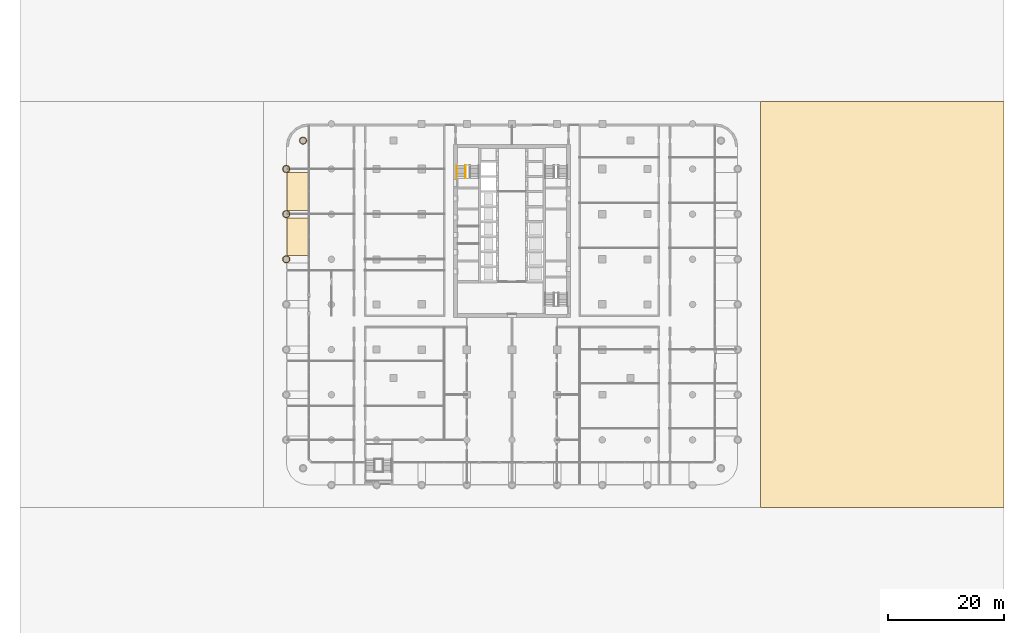
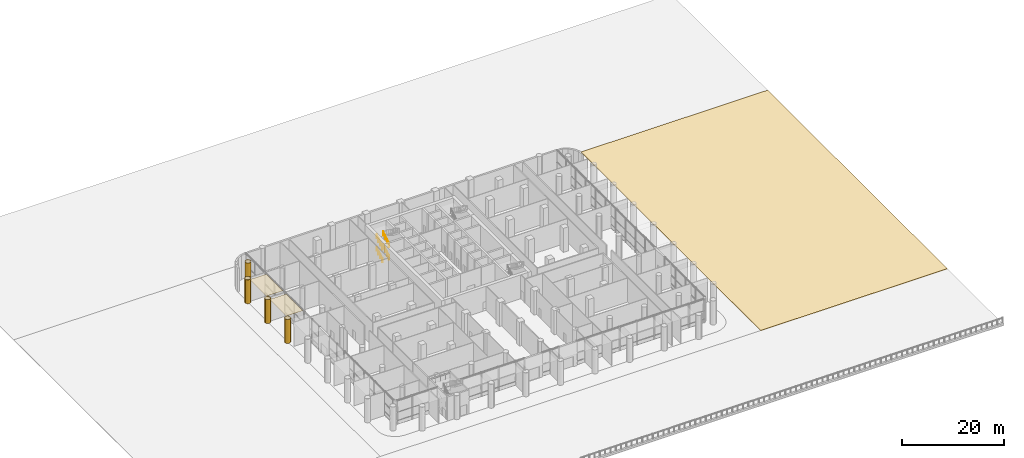
# One storey, part 28 of 32: 7 coverings, 4 railings, 1 element without a shape of its own.
"""IFC4 building model written with IfcOpenShell, lengths in metres."""

from ifc_helpers import new_model, si_unit, direction, frame, origin, origin_2d, place, context, subcontext, project, spatial, polyline, rectangle, circle, outline, extrude, material, layer, layer_set, type_object, element, aggregate, save


model = new_model("IFC4")

# Units and contexts
model_context = context("Model", 3, precision=1e-05, world=origin(), true_north=direction((0.0, 1.0)))
body_context = subcontext(model_context, "Body", "Model", "MODEL_VIEW")
ifc_project = project(units=[si_unit("LENGTHUNIT", "METRE"), si_unit("AREAUNIT", "SQUARE_METRE"), si_unit("VOLUMEUNIT", "CUBIC_METRE"), si_unit("PLANEANGLEUNIT", "RADIAN"), si_unit("MASSUNIT", "GRAM", prefix="KILO")], contexts=[model_context])

# Site, building, storey
site_placement = place(None, origin())
site = spatial("IfcSite", under=ifc_project, at=site_placement, CompositionType="ELEMENT")
building_placement = place(site_placement, origin())
building = spatial("IfcBuilding", under=site, at=building_placement, Name="Ludao Terraces", CompositionType="ELEMENT")
storey_placement = place(building_placement, origin())
storey = spatial("IfcBuildingStorey", under=building, at=storey_placement, Name="L00", CompositionType="ELEMENT", Elevation=0.0)

# Coverings
ifc_material_1 = material(Name="Stone-effect cement board ceiling lining", Category="masonry")
ifc_layer_1 = layer(ifc_material_1, 0.030029296875)
ifc_layer_set_1 = layer_set([ifc_layer_1], Name="ENV Arcade ceiling lining 30")
covering_type_1 = type_object("IfcCoveringType", Name="ENV Arcade ceiling lining 30", PredefinedType="CEILING", material=ifc_layer_set_1)
for number, where, z_axis, x_axis, name in (
    (1, (47.9599609375, 68.89990234375, 5.669921875), (0.0, 0.0, 1.0), (1.0, 0.0, 0.0), "CL-L00-W5"),
    (2, (47.9599609375, 76.699951171875, 5.669921875), (0.0, 0.0, 1.0), (1.0, 0.0, 0.0), "CL-L00-W6"),
):
    element("IfcCovering", number, at=place(storey_placement, frame(where, z_axis=z_axis, x_axis=x_axis)), inside=storey, type_object=covering_type_1, Name=name, PredefinedType="CEILING", context=body_context, shape_type="SweptSolid", body=[
        extrude(rectangle(XDim=3.719970703125, YDim=6.52001953125, at=origin_2d()), origin(), (0.0, 0.0, 1.0), 0.030029296875),
    ])
ifc_material_2 = material(Name="Granite paving", Category="masonry")
ifc_layer_2 = layer(ifc_material_2, 0.14990234375)
ifc_layer_set_2 = layer_set([ifc_layer_2], Name="ENV Paving 150")
covering_type_2 = type_object("IfcCoveringType", Name="ENV Paving 150", PredefinedType="USERDEFINED", material=ifc_layer_set_2)
covering_1_placement = place(storey_placement, frame((0.0, 0.0, -0.14990234375)))
element("IfcCovering", 3, at=covering_1_placement, inside=storey, type_object=covering_type_2, Name="East Plaza paving", ObjectType="PAVING", PredefinedType="USERDEFINED", context=body_context, shape_type="SweptSolid", body=[
    extrude(outline(polyline([(127.89990234375, 22.10009765625), (170.0, 22.10009765625), (170.0, 92.300048828125), (127.89990234375, 92.300048828125), (127.89990234375, 22.10009765625)])), origin(), (0.0, 0.0, 1.0), 0.14990234375),
])
ifc_material_3 = material(Name="Granite cladding", Category="masonry")
ifc_layer_3 = layer(ifc_material_3, 0.06005859375)
ifc_layer_set_3 = layer_set([ifc_layer_3], Name="ENV Stone column casing 60")
covering_type_3 = type_object("IfcCoveringType", Name="ENV Stone column casing 60", PredefinedType="CLADDING", material=ifc_layer_set_3)
covering_2_placement = place(storey_placement, origin())
element("IfcCovering", 4, at=covering_2_placement, inside=storey, type_object=covering_type_3, Name="CC-L00-G-156x0234", PredefinedType="CLADDING", context=body_context, shape_type="SweptSolid", body=[
    extrude(outline(polyline([(46.61474609375, 65.0), (46.59375, 65.1591796875), (46.532470703125, 65.307373046875), (46.4345703125, 65.4345703125), (46.307373046875, 65.532470703125), (46.1591796875, 65.59375), (46.0, 65.61474609375), (45.8408203125, 65.59375), (45.692626953125, 65.532470703125), (45.5654296875, 65.4345703125), (45.467529296875, 65.307373046875), (45.40625, 65.1591796875), (45.38525390625, 65.0), (45.40625, 64.8408203125), (45.467529296875, 64.692626953125), (45.5654296875, 64.5654296875), (45.692626953125, 64.467529296875), (45.8408203125, 64.40625), (46.0, 64.38525390625), (46.1591796875, 64.40625), (46.307373046875, 64.467529296875), (46.4345703125, 64.5654296875), (46.532470703125, 64.692626953125), (46.59375, 64.8408203125), (46.61474609375, 65.0)]), holes=[polyline([(46.535888671875, 64.8564453125), (46.48046875, 64.72265625), (46.392333984375, 64.607666015625), (46.27734375, 64.51953125), (46.1435546875, 64.464111328125), (46.0, 64.4453125), (45.8564453125, 64.464111328125), (45.72265625, 64.51953125), (45.607666015625, 64.607666015625), (45.51953125, 64.72265625), (45.464111328125, 64.8564453125), (45.4453125, 65.0), (45.464111328125, 65.1435546875), (45.51953125, 65.27734375), (45.607666015625, 65.392333984375), (45.72265625, 65.48046875), (45.8564453125, 65.535888671875), (46.0, 65.5546875), (46.1435546875, 65.535888671875), (46.27734375, 65.48046875), (46.392333984375, 65.392333984375), (46.48046875, 65.27734375), (46.535888671875, 65.1435546875), (46.5546875, 65.0), (46.535888671875, 64.8564453125)])]), origin(), (0.0, 0.0, 1.0), 5.699951171875),
])
covering_3_placement = place(storey_placement, origin())
element("IfcCovering", 5, at=covering_3_placement, inside=storey, type_object=covering_type_3, Name="CC-L00-G-156x0312", PredefinedType="CLADDING", context=body_context, shape_type="SweptSolid", body=[
    extrude(outline(polyline([(46.61474609375, 72.800048828125), (46.59375, 72.959228515625), (46.532470703125, 73.107421875), (46.4345703125, 73.234619140625), (46.307373046875, 73.332275390625), (46.1591796875, 73.393798828125), (46.0, 73.414794921875), (45.8408203125, 73.393798828125), (45.692626953125, 73.332275390625), (45.5654296875, 73.234619140625), (45.467529296875, 73.107421875), (45.40625, 72.959228515625), (45.38525390625, 72.800048828125), (45.40625, 72.640869140625), (45.467529296875, 72.49267578125), (45.5654296875, 72.365234375), (45.692626953125, 72.267578125), (45.8408203125, 72.206298828125), (46.0, 72.185302734375), (46.1591796875, 72.206298828125), (46.307373046875, 72.267578125), (46.4345703125, 72.365234375), (46.532470703125, 72.49267578125), (46.59375, 72.640869140625), (46.61474609375, 72.800048828125)]), holes=[polyline([(46.535888671875, 72.656494140625), (46.48046875, 72.522705078125), (46.392333984375, 72.40771484375), (46.27734375, 72.319580078125), (46.1435546875, 72.26416015625), (46.0, 72.245361328125), (45.8564453125, 72.26416015625), (45.72265625, 72.319580078125), (45.607666015625, 72.40771484375), (45.51953125, 72.522705078125), (45.464111328125, 72.656494140625), (45.4453125, 72.800048828125), (45.464111328125, 72.943603515625), (45.51953125, 73.077392578125), (45.607666015625, 73.1923828125), (45.72265625, 73.280517578125), (45.8564453125, 73.3359375), (46.0, 73.354736328125), (46.1435546875, 73.3359375), (46.27734375, 73.280517578125), (46.392333984375, 73.1923828125), (46.48046875, 73.077392578125), (46.535888671875, 72.943603515625), (46.5546875, 72.800048828125), (46.535888671875, 72.656494140625)])]), origin(), (0.0, 0.0, 1.0), 5.699951171875),
])
covering_4_placement = place(storey_placement, origin())
element("IfcCovering", 6, at=covering_4_placement, inside=storey, type_object=covering_type_3, Name="CC-L00-G-156x0390", PredefinedType="CLADDING", context=body_context, shape_type="SweptSolid", body=[
    extrude(outline(polyline([(46.61474609375, 80.60009765625), (46.59375, 80.759033203125), (46.532470703125, 80.907470703125), (46.4345703125, 81.03466796875), (46.307373046875, 81.13232421875), (46.1591796875, 81.19384765625), (46.0, 81.21484375), (45.8408203125, 81.19384765625), (45.692626953125, 81.13232421875), (45.5654296875, 81.03466796875), (45.467529296875, 80.907470703125), (45.40625, 80.759033203125), (45.38525390625, 80.60009765625), (45.40625, 80.44091796875), (45.467529296875, 80.292724609375), (45.5654296875, 80.165283203125), (45.692626953125, 80.067626953125), (45.8408203125, 80.006103515625), (46.0, 79.9853515625), (46.1591796875, 80.006103515625), (46.307373046875, 80.067626953125), (46.4345703125, 80.165283203125), (46.532470703125, 80.292724609375), (46.59375, 80.44091796875), (46.61474609375, 80.60009765625)]), holes=[polyline([(46.535888671875, 80.45654296875), (46.48046875, 80.322509765625), (46.392333984375, 80.207763671875), (46.27734375, 80.11962890625), (46.1435546875, 80.064208984375), (46.0, 80.045166015625), (45.8564453125, 80.064208984375), (45.72265625, 80.11962890625), (45.607666015625, 80.207763671875), (45.51953125, 80.322509765625), (45.464111328125, 80.45654296875), (45.4453125, 80.60009765625), (45.464111328125, 80.74365234375), (45.51953125, 80.87744140625), (45.607666015625, 80.9921875), (45.72265625, 81.080322265625), (45.8564453125, 81.1357421875), (46.0, 81.15478515625), (46.1435546875, 81.1357421875), (46.27734375, 81.080322265625), (46.392333984375, 80.9921875), (46.48046875, 80.87744140625), (46.535888671875, 80.74365234375), (46.5546875, 80.60009765625), (46.535888671875, 80.45654296875)])]), origin(), (0.0, 0.0, 1.0), 5.699951171875),
])
covering_5_placement = place(storey_placement, origin())
element("IfcCovering", 7, at=covering_5_placement, inside=storey, type_object=covering_type_3, Name="CC-L00-G-127x0439", PredefinedType="CLADDING", context=body_context, shape_type="SweptSolid", body=[
    extrude(outline(polyline([(49.5146484375, 85.5), (49.493896484375, 85.6591796875), (49.432373046875, 85.807373046875), (49.334716796875, 85.9345703125), (49.207275390625, 86.032470703125), (49.05908203125, 86.09375), (48.89990234375, 86.11474609375), (48.740966796875, 86.09375), (48.592529296875, 86.032470703125), (48.46533203125, 85.9345703125), (48.36767578125, 85.807373046875), (48.30615234375, 85.6591796875), (48.28515625, 85.5), (48.30615234375, 85.3408203125), (48.36767578125, 85.192626953125), (48.46533203125, 85.0654296875), (48.592529296875, 84.967529296875), (48.740966796875, 84.90625), (48.89990234375, 84.88525390625), (49.05908203125, 84.90625), (49.207275390625, 84.967529296875), (49.334716796875, 85.0654296875), (49.432373046875, 85.192626953125), (49.493896484375, 85.3408203125), (49.5146484375, 85.5)]), holes=[polyline([(49.435791015625, 85.3564453125), (49.38037109375, 85.22265625), (49.292236328125, 85.107666015625), (49.177490234375, 85.01953125), (49.04345703125, 84.964111328125), (48.89990234375, 84.9453125), (48.75634765625, 84.964111328125), (48.62255859375, 85.01953125), (48.5078125, 85.107666015625), (48.419677734375, 85.22265625), (48.3642578125, 85.3564453125), (48.34521484375, 85.5), (48.3642578125, 85.6435546875), (48.419677734375, 85.77734375), (48.5078125, 85.892333984375), (48.62255859375, 85.98046875), (48.75634765625, 86.035888671875), (48.89990234375, 86.0546875), (49.04345703125, 86.035888671875), (49.177490234375, 85.98046875), (49.292236328125, 85.892333984375), (49.38037109375, 85.77734375), (49.435791015625, 85.6435546875), (49.454833984375, 85.5), (49.435791015625, 85.3564453125)])]), origin(), (0.0, 0.0, 1.0), 5.699951171875),
])

# Stair, railings
ifc_material_4 = material(Name="Concrete C40", Category="concrete")
stair_type = type_object("IfcStairType", Name="INT Stair", PredefinedType="HALF_TURN_STAIR", material=ifc_material_4)
stair_placement = place(storey_placement, origin())
stair = element("IfcStair", 8, at=stair_placement, inside=storey, type_object=stair_type, Name="EXIT STAIR 1", PredefinedType="HALF_TURN_STAIR")
ifc_material_5 = material(Name="Stainless steel 304", Category="steel")
railing_type_1 = type_object("IfcRailingType", Name="INT Stair guard 1100", PredefinedType="GUARDRAIL", material=ifc_material_5)
railing_1_placement = place(storey_placement, frame((76.949951171875, 79.0, 0.166748046875)))
railing_1 = element("IfcRailing", 9, at=railing_1_placement, type_object=railing_type_1, Name="ST-L00-S1-R1G", PredefinedType="GUARDRAIL", context=body_context, shape_type="SweptSolid", body=[
    extrude(circle(Radius=0.02392578125, at=origin_2d()), frame((0.0, 0.0, 1.076171875), z_axis=(0.0, 0.859305625298, 0.511462454469), x_axis=(-1.0, 0.0, 0.0)), (0.0, 0.0, 1.0), 2.606689453125),
    extrude(circle(Radius=0.02099609375, at=origin_2d()), origin(), (0.0, 0.0, 1.0), 1.052001953125),
    extrude(circle(Radius=0.02099609375, at=origin_2d()), frame((0.0, 0.74658203125, 0.4443359375)), (0.0, 0.0, 1.0), 1.052001953125),
    extrude(circle(Radius=0.02099609375, at=origin_2d()), frame((0.0, 1.493408203125, 0.888916015625)), (0.0, 0.0, 1.0), 1.052001953125),
    extrude(circle(Radius=0.02099609375, at=origin_2d()), frame((0.0, 2.239990234375, 1.333251953125)), (0.0, 0.0, 1.0), 1.052001953125),
])
railing_2_placement = place(storey_placement, frame((76.949951171875, 79.0, 3.166748046875)))
railing_2 = element("IfcRailing", 10, at=railing_2_placement, type_object=railing_type_1, Name="ST-L00-S1-R3G", PredefinedType="GUARDRAIL", context=body_context, shape_type="SweptSolid", body=[
    extrude(circle(Radius=0.02392578125, at=origin_2d()), frame((0.0, 0.0, 1.076171875), z_axis=(0.0, 0.859305625298, 0.511462454469), x_axis=(-1.0, 0.0, 0.0)), (0.0, 0.0, 1.0), 2.606689453125),
    extrude(circle(Radius=0.02099609375, at=origin_2d()), origin(), (0.0, 0.0, 1.0), 1.052001953125),
    extrude(circle(Radius=0.02099609375, at=origin_2d()), frame((0.0, 0.74658203125, 0.4443359375)), (0.0, 0.0, 1.0), 1.052001953125),
    extrude(circle(Radius=0.02099609375, at=origin_2d()), frame((0.0, 1.493408203125, 0.888916015625)), (0.0, 0.0, 1.0), 1.052001953125),
    extrude(circle(Radius=0.02099609375, at=origin_2d()), frame((0.0, 2.239990234375, 1.333251953125)), (0.0, 0.0, 1.0), 1.052001953125),
])
railing_type_2 = type_object("IfcRailingType", Name="INT Stair handrail 900", PredefinedType="HANDRAIL", material=ifc_material_5)
railing_3_placement = place(storey_placement, frame((75.449951171875, 79.0, 0.166748046875)))
railing_3 = element("IfcRailing", 11, at=railing_3_placement, type_object=railing_type_2, Name="ST-L00-S1-R1H", PredefinedType="HANDRAIL", context=body_context, shape_type="SweptSolid", body=[
    extrude(circle(Radius=0.02392578125, at=origin_2d()), frame((0.0, 0.0, 0.8759765625), z_axis=(0.0, 0.859305625298, 0.511462454469), x_axis=(-1.0, 0.0, 0.0)), (0.0, 0.0, 1.0), 2.606689453125),
    extrude(circle(Radius=0.02099609375, at=origin_2d()), origin(), (0.0, 0.0, 1.0), 0.851806640625),
    extrude(circle(Radius=0.02099609375, at=origin_2d()), frame((0.0, 0.74658203125, 0.4443359375)), (0.0, 0.0, 1.0), 0.851806640625),
    extrude(circle(Radius=0.02099609375, at=origin_2d()), frame((0.0, 1.493408203125, 0.888916015625)), (0.0, 0.0, 1.0), 0.851806640625),
    extrude(circle(Radius=0.02099609375, at=origin_2d()), frame((0.0, 2.239990234375, 1.333251953125)), (0.0, 0.0, 1.0), 0.851806640625),
])
railing_4_placement = place(storey_placement, frame((75.449951171875, 79.0, 3.166748046875)))
railing_4 = element("IfcRailing", 12, at=railing_4_placement, type_object=railing_type_2, Name="ST-L00-S1-R3H", PredefinedType="HANDRAIL", context=body_context, shape_type="SweptSolid", body=[
    extrude(circle(Radius=0.02392578125, at=origin_2d()), frame((0.0, 0.0, 0.8759765625), z_axis=(0.0, 0.859305625298, 0.511462454469), x_axis=(-1.0, 0.0, 0.0)), (0.0, 0.0, 1.0), 2.606689453125),
    extrude(circle(Radius=0.02099609375, at=origin_2d()), origin(), (0.0, 0.0, 1.0), 0.851806640625),
    extrude(circle(Radius=0.02099609375, at=origin_2d()), frame((0.0, 0.74658203125, 0.4443359375)), (0.0, 0.0, 1.0), 0.851806640625),
    extrude(circle(Radius=0.02099609375, at=origin_2d()), frame((0.0, 1.493408203125, 0.888916015625)), (0.0, 0.0, 1.0), 0.851806640625),
    extrude(circle(Radius=0.02099609375, at=origin_2d()), frame((0.0, 2.239990234375, 1.333251953125)), (0.0, 0.0, 1.0), 0.851806640625),
])
aggregate(stair, [railing_1, railing_3, railing_2, railing_4])

save(model, "model.ifc")
